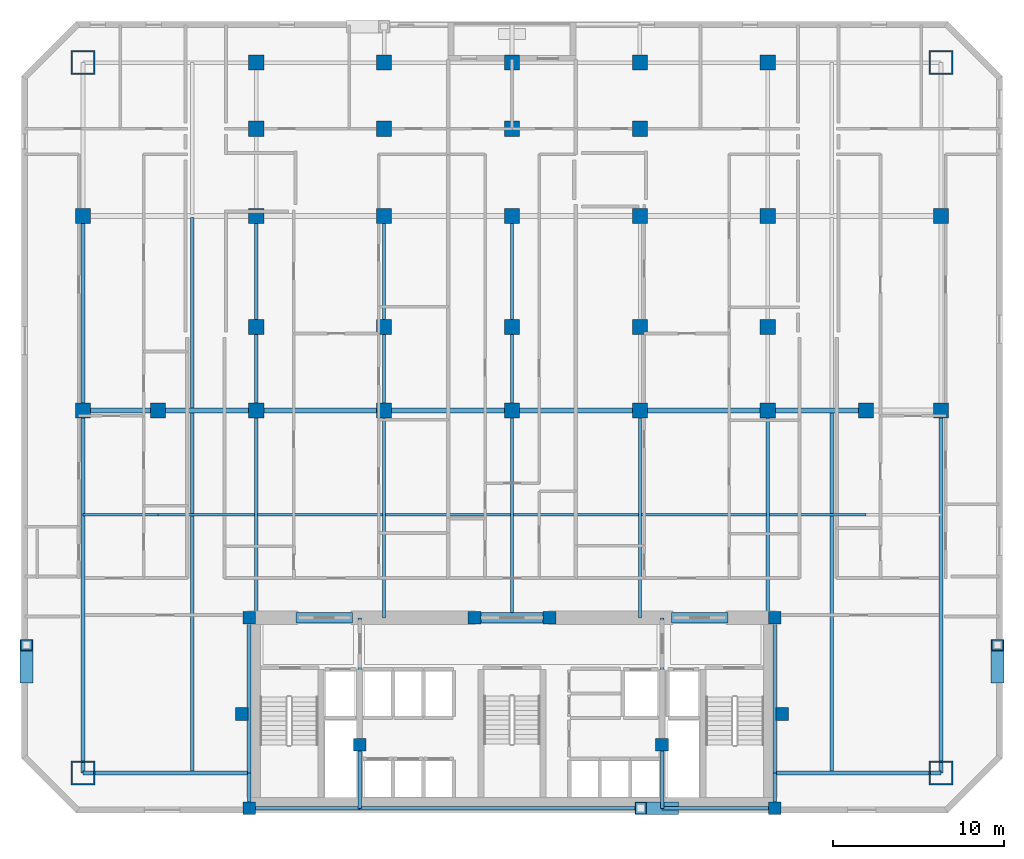
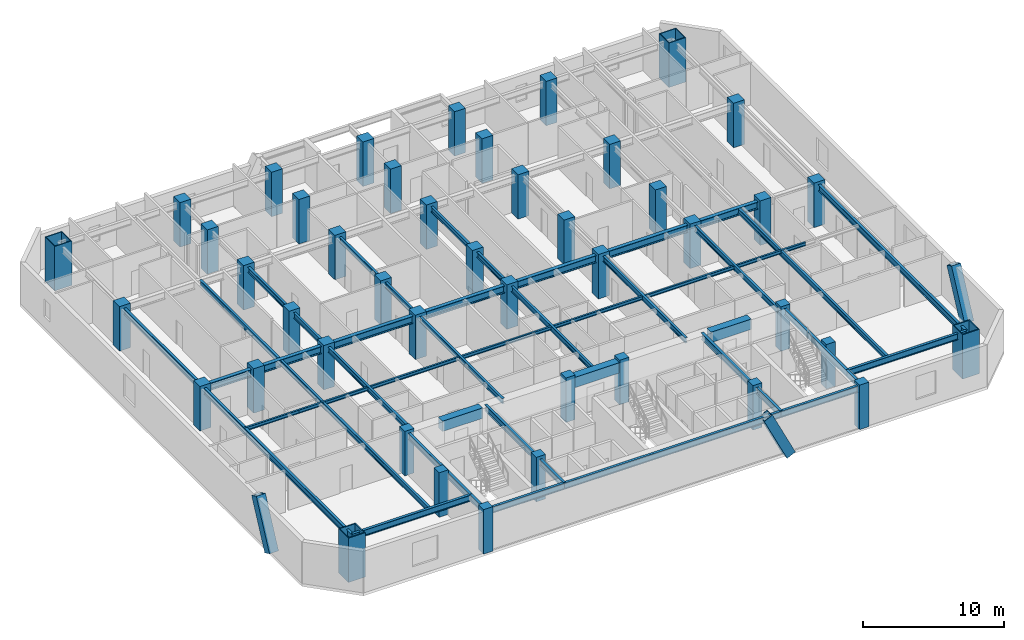
# One storey, part 1 of 10: 44 beams, 44 columns, 3 members.
"""IFC4 building model written with IfcOpenShell, lengths in metres."""

from ifc_helpers import new_model, si_unit, direction, frame, origin, origin_2d, place, context, subcontext, project, spatial, rectangle, hollow_rectangle, i_section, extrude, material, material_profile, profile_set, type_object, element, save


model = new_model("IFC4")

# Units and contexts
model_context = context("Model", 3, precision=1e-05, world=origin(), true_north=direction((0.0, 1.0)))
body_context = subcontext(model_context, "Body", "Model", "MODEL_VIEW")
ifc_project = project(units=[si_unit("LENGTHUNIT", "METRE"), si_unit("AREAUNIT", "SQUARE_METRE"), si_unit("VOLUMEUNIT", "CUBIC_METRE"), si_unit("PLANEANGLEUNIT", "RADIAN"), si_unit("MASSUNIT", "GRAM", prefix="KILO")], contexts=[model_context])

# Site, building, storey
site_placement = place(None, origin())
site = spatial("IfcSite", under=ifc_project, at=site_placement, CompositionType="ELEMENT")
building_placement = place(site_placement, origin())
building = spatial("IfcBuilding", under=site, at=building_placement, Name="Ventersveld Concourse Tower", CompositionType="ELEMENT")
storey_placement = place(building_placement, frame((0.0, 0.0, 41.35009765625)))
storey = spatial("IfcBuildingStorey", under=building, at=storey_placement, Name="L09", CompositionType="ELEMENT", Elevation=41.35009765625)

# Columns
ifc_material_1 = material(Name="Concrete C50/60", Category="concrete")
ifc_material_profile_1 = material_profile(ifc_material_1, rectangle(XDim=0.75, YDim=0.75, at=origin_2d()), Name="RC 750x750")
ifc_profile_set_1 = profile_set([ifc_material_profile_1], Name="Concrete C50/60")
column_type_1 = type_object("IfcColumnType", Name="COL-RC750", PredefinedType="COLUMN", material=ifc_profile_set_1)
for number, where, z_axis, x_axis, name in (
    (1, (13.35009765625, 0.280029296875, 0.0), (0.0, 0.0, 1.0), (1.0, 0.0, 0.0), "L09 Core Spine Column CC-SW"),
    (2, (44.14990234375, 0.280029296875, 0.0), (0.0, 0.0, 1.0), (1.0, 0.0, 0.0), "L09 Core Spine Column CC-SE"),
    (3, (13.35009765625, 11.449951171875, 0.0), (0.0, 0.0, 1.0), (1.0, 0.0, 0.0), "L09 Core Spine Column CC-NW"),
    (4, (44.14990234375, 11.449951171875, 0.0), (0.0, 0.0, 1.0), (1.0, 0.0, 0.0), "L09 Core Spine Column CC-NE"),
    (5, (19.820068359375, 4.0, 0.0), (0.0, 0.0, 1.0), (1.0, 0.0, 0.0), "L09 Core Spine Column CM-1"),
    (6, (37.550048828125, 4.0, 0.0), (0.0, 0.0, 1.0), (1.0, 0.0, 0.0), "L09 Core Spine Column CM-2"),
    (7, (26.550048828125, 11.449951171875, 0.0), (0.0, 0.0, 1.0), (1.0, 0.0, 0.0), "L09 Core Spine Column CM-3"),
    (8, (30.949951171875, 11.449951171875, 0.0), (0.0, 0.0, 1.0), (1.0, 0.0, 0.0), "L09 Core Spine Column CM-4"),
):
    element("IfcColumn", number, at=place(storey_placement, frame(where, z_axis=z_axis, x_axis=x_axis)), inside=storey, type_object=column_type_1, Name=name, PredefinedType="COLUMN", context=body_context, shape_type="SweptSolid", body=[
        extrude(rectangle(XDim=0.75, YDim=0.75, at=origin_2d()), origin(), (0.0, 0.0, 1.0), 3.849853515625),
    ])
ifc_material_2 = material(Name="Concrete C60/75", Category="concrete")
ifc_material_profile_2 = material_profile(ifc_material_2, rectangle(XDim=0.89990234375, YDim=0.89990234375, at=origin_2d()), Name="RC 900x900")
ifc_profile_set_2 = profile_set([ifc_material_profile_2], Name="Concrete C60/75")
column_type_2 = type_object("IfcColumnType", Name="COL-RC900", PredefinedType="COLUMN", material=ifc_profile_set_2)
for number, where, z_axis, x_axis, name in (
    (9, (3.60009765625, 23.60009765625, 0.0), (0.0, 0.0, 1.0), (1.0, 0.0, 0.0), "L09 Interior Gravity Column X=3.60 Y=23.60"),
    (10, (8.0, 23.60009765625, 0.0), (0.0, 0.0, 1.0), (1.0, 0.0, 0.0), "L09 Interior Gravity Column X=8.00 Y=23.60"),
    (11, (13.75, 23.60009765625, 0.0), (0.0, 0.0, 1.0), (1.0, 0.0, 0.0), "L09 Interior Gravity Column X=13.75 Y=23.60"),
    (12, (21.25, 23.60009765625, 0.0), (0.0, 0.0, 1.0), (1.0, 0.0, 0.0), "L09 Interior Gravity Column X=21.25 Y=23.60"),
    (13, (28.75, 23.60009765625, 0.0), (0.0, 0.0, 1.0), (1.0, 0.0, 0.0), "L09 Interior Gravity Column X=28.75 Y=23.60"),
    (14, (36.25, 23.60009765625, 0.0), (0.0, 0.0, 1.0), (1.0, 0.0, 0.0), "L09 Interior Gravity Column X=36.25 Y=23.60"),
    (15, (43.75, 23.60009765625, 0.0), (0.0, 0.0, 1.0), (1.0, 0.0, 0.0), "L09 Interior Gravity Column X=43.75 Y=23.60"),
    (16, (49.5, 23.60009765625, 0.0), (0.0, 0.0, 1.0), (1.0, 0.0, 0.0), "L09 Interior Gravity Column X=49.50 Y=23.60"),
    (17, (53.89990234375, 23.60009765625, 0.0), (0.0, 0.0, 1.0), (1.0, 0.0, 0.0), "L09 Interior Gravity Column X=53.90 Y=23.60"),
    (18, (13.75, 28.5, 0.0), (0.0, 0.0, 1.0), (1.0, 0.0, 0.0), "L09 Upper-North Gravity Column X=13.75 Y=28.50"),
    (19, (21.25, 28.5, 0.0), (0.0, 0.0, 1.0), (1.0, 0.0, 0.0), "L09 Upper-North Gravity Column X=21.25 Y=28.50"),
    (20, (28.75, 28.5, 0.0), (0.0, 0.0, 1.0), (1.0, 0.0, 0.0), "L09 Upper-North Gravity Column X=28.75 Y=28.50"),
    (21, (36.25, 28.5, 0.0), (0.0, 0.0, 1.0), (1.0, 0.0, 0.0), "L09 Upper-North Gravity Column X=36.25 Y=28.50"),
    (22, (43.75, 28.5, 0.0), (0.0, 0.0, 1.0), (1.0, 0.0, 0.0), "L09 Upper-North Gravity Column X=43.75 Y=28.50"),
    (23, (3.60009765625, 35.0, 0.0), (0.0, 0.0, 1.0), (1.0, 0.0, 0.0), "L09 Flank Column X=3.60 Y=35.00"),
    (24, (53.89990234375, 35.0, 0.0), (0.0, 0.0, 1.0), (1.0, 0.0, 0.0), "L09 Flank Column X=53.90 Y=35.00"),
    (25, (13.75, 44.0, 0.0), (0.0, 0.0, 1.0), (1.0, 0.0, 0.0), "L09 North Perimeter Column X=13.75 Y=44.00"),
    (26, (21.25, 44.0, 0.0), (0.0, 0.0, 1.0), (1.0, 0.0, 0.0), "L09 North Perimeter Column X=21.25 Y=44.00"),
    (27, (28.75, 44.0, 0.0), (0.0, 0.0, 1.0), (1.0, 0.0, 0.0), "L09 North Perimeter Column X=28.75 Y=44.00"),
    (28, (36.25, 44.0, 0.0), (0.0, 0.0, 1.0), (1.0, 0.0, 0.0), "L09 North Perimeter Column X=36.25 Y=44.00"),
    (29, (43.75, 44.0, 0.0), (0.0, 0.0, 1.0), (1.0, 0.0, 0.0), "L09 North Perimeter Column X=43.75 Y=44.00"),
    (30, (13.75, 40.1201171875, 0.0), (0.0, 0.0, 1.0), (1.0, 0.0, 0.0), "L09 North Brace Node Column X=13.75 Y=40.12"),
    (31, (21.25, 40.1201171875, 0.0), (0.0, 0.0, 1.0), (1.0, 0.0, 0.0), "L09 North Brace Node Column X=21.25 Y=40.12"),
    (32, (28.75, 40.1201171875, 0.0), (0.0, 0.0, 1.0), (1.0, 0.0, 0.0), "L09 North Brace Node Column X=28.75 Y=40.12"),
    (33, (36.25, 40.1201171875, 0.0), (0.0, 0.0, 1.0), (1.0, 0.0, 0.0), "L09 North Brace Node Column X=36.25 Y=40.12"),
    (34, (13.75, 35.0, 0.0), (0.0, 0.0, 1.0), (1.0, 0.0, 0.0), "L09 Mid-North Column X=13.75 Y=35.00"),
    (35, (21.25, 35.0, 0.0), (0.0, 0.0, 1.0), (1.0, 0.0, 0.0), "L09 Mid-North Column X=21.25 Y=35.00"),
    (36, (28.75, 35.0, 0.0), (0.0, 0.0, 1.0), (1.0, 0.0, 0.0), "L09 Mid-North Column X=28.75 Y=35.00"),
    (37, (36.25, 35.0, 0.0), (0.0, 0.0, 1.0), (1.0, 0.0, 0.0), "L09 Mid-North Column X=36.25 Y=35.00"),
    (38, (43.75, 35.0, 0.0), (0.0, 0.0, 1.0), (1.0, 0.0, 0.0), "L09 Mid-North Column X=43.75 Y=35.00"),
):
    element("IfcColumn", number, at=place(storey_placement, frame(where, z_axis=z_axis, x_axis=x_axis)), inside=storey, type_object=column_type_2, Name=name, PredefinedType="COLUMN", context=body_context, shape_type="SweptSolid", body=[
        extrude(rectangle(XDim=0.89990234375, YDim=0.89990234375, at=origin_2d()), origin(), (0.0, 0.0, 1.0), 3.849853515625),
    ])
ifc_material_3 = material(Name="Structural steel S460ML", Category="steel")
ifc_material_profile_3 = material_profile(ifc_material_3, hollow_rectangle(XDim=1.39990234375, YDim=1.39990234375, WallThickness=0.080078125, at=origin_2d()), Name="BOX 1400x1400x80")
ifc_profile_set_3 = profile_set([ifc_material_profile_3], Name="Structural steel S460ML")
column_type_3 = type_object("IfcColumnType", Name="MC-1400", PredefinedType="USERDEFINED", material=ifc_profile_set_3)
for number, where, z_axis, x_axis, name in (
    (39, (3.60009765625, 2.35009765625, 0.0), (0.0, 0.0, 1.0), (1.0, 0.0, 0.0), "L09 Corner Mega-Column MC-SW"),
    (40, (53.89990234375, 2.35009765625, 0.0), (0.0, 0.0, 1.0), (1.0, 0.0, 0.0), "L09 Corner Mega-Column MC-SE"),
    (41, (53.89990234375, 44.0, 0.0), (0.0, 0.0, 1.0), (1.0, 0.0, 0.0), "L09 Corner Mega-Column MC-NE"),
    (42, (3.60009765625, 44.0, 0.0), (0.0, 0.0, 1.0), (1.0, 0.0, 0.0), "L09 Corner Mega-Column MC-NW"),
):
    element("IfcColumn", number, at=place(storey_placement, frame(where, z_axis=z_axis, x_axis=x_axis)), inside=storey, type_object=column_type_3, Name=name, ObjectType="MEGA_COLUMN", PredefinedType="USERDEFINED", context=body_context, shape_type="SweptSolid", body=[
        extrude(hollow_rectangle(XDim=1.39990234375, YDim=1.39990234375, WallThickness=0.080078125, at=origin_2d()), origin(), (0.0, 0.0, 1.0), 3.849853515625),
    ])
ifc_material_profile_4 = material_profile(ifc_material_1, rectangle(XDim=0.75, YDim=0.75, at=origin_2d()), Name="RC 750x750")
ifc_profile_set_4 = profile_set([ifc_material_profile_4], Name="Concrete C50/60")
column_type_4 = type_object("IfcColumnType", Name="PIL-RC750", PredefinedType="PILASTER", material=ifc_profile_set_4)
for number, where, z_axis, x_axis, name in (
    (43, (12.89990234375, 5.800048828125, 0.0), (0.0, 0.0, 1.0), (1.0, 0.0, 0.0), "L09 Core Engaged Pilaster PIL-W"),
    (44, (44.60009765625, 5.800048828125, 0.0), (0.0, 0.0, 1.0), (1.0, 0.0, 0.0), "L09 Core Engaged Pilaster PIL-E"),
):
    element("IfcColumn", number, at=place(storey_placement, frame(where, z_axis=z_axis, x_axis=x_axis)), inside=storey, type_object=column_type_4, Name=name, PredefinedType="PILASTER", context=body_context, shape_type="SweptSolid", body=[
        extrude(rectangle(XDim=0.75, YDim=0.75, at=origin_2d()), origin(), (0.0, 0.0, 1.0), 3.849853515625),
    ])

# Beams
ifc_material_4 = material(Name="Structural steel S355J2", Category="steel")
ifc_material_profile_5 = material_profile(ifc_material_4, i_section(OverallWidth=0.19140625, OverallDepth=0.4599609375, WebThickness=0.010009765625, FlangeThickness=0.01611328125, FilletRadius=0.01025390625, at=origin_2d()), Name="UB 457x191x82")
ifc_profile_set_5 = profile_set([ifc_material_profile_5], Name="Structural steel S355J2")
beam_type_1 = type_object("IfcBeamType", Name="BM-UB457H", PredefinedType="BEAM", material=ifc_profile_set_5)
beam_1_placement = place(storey_placement, frame((10.0, 2.35009765625, 3.369873046875), z_axis=(0.0, 1.0, 0.0), x_axis=(-1.0, 0.0, 0.0)))
element("IfcBeam", 45, at=beam_1_placement, inside=storey, type_object=beam_type_1, Name="L09 N-S Composite Floor Beam South X=10.00", PredefinedType="BEAM", context=body_context, shape_type="SweptSolid", body=[
    extrude(i_section(OverallWidth=0.19140625, OverallDepth=0.4599609375, WebThickness=0.010009765625, FlangeThickness=0.01611328125, FilletRadius=0.01025390625, at=origin_2d()), origin(), (0.0, 0.0, 1.0), 21.15478515625),
])
beam_2_placement = place(storey_placement, frame((10.0, 23.695068359375, 3.369873046875), z_axis=(0.0, 1.0, 0.0), x_axis=(-1.0, 0.0, 0.0)))
element("IfcBeam", 46, at=beam_2_placement, inside=storey, type_object=beam_type_1, Name="L09 N-S Composite Floor Beam Mid X=10.00", PredefinedType="BEAM", context=body_context, shape_type="SweptSolid", body=[
    extrude(i_section(OverallWidth=0.19140625, OverallDepth=0.4599609375, WebThickness=0.010009765625, FlangeThickness=0.01611328125, FilletRadius=0.01025390625, at=origin_2d()), origin(), (0.0, 0.0, 1.0), 11.2099609375),
])
beam_3_placement = place(storey_placement, frame((13.75, 11.449951171875, 3.369873046875), z_axis=(0.0, 1.0, 0.0), x_axis=(-1.0, 0.0, 0.0)))
element("IfcBeam", 47, at=beam_3_placement, inside=storey, type_object=beam_type_1, Name="L09 N-S Composite Floor Beam South X=13.75", PredefinedType="BEAM", context=body_context, shape_type="SweptSolid", body=[
    extrude(i_section(OverallWidth=0.19140625, OverallDepth=0.4599609375, WebThickness=0.010009765625, FlangeThickness=0.01611328125, FilletRadius=0.01025390625, at=origin_2d()), origin(), (0.0, 0.0, 1.0), 12.150146484375),
])
beam_4_placement = place(storey_placement, frame((13.75, 23.60009765625, 3.369873046875), z_axis=(0.0, 1.0, 0.0), x_axis=(-1.0, 0.0, 0.0)))
element("IfcBeam", 48, at=beam_4_placement, inside=storey, type_object=beam_type_1, Name="L09 N-S Composite Floor Beam Mid X=13.75", PredefinedType="BEAM", context=body_context, shape_type="SweptSolid", body=[
    extrude(i_section(OverallWidth=0.19140625, OverallDepth=0.4599609375, WebThickness=0.010009765625, FlangeThickness=0.01611328125, FilletRadius=0.01025390625, at=origin_2d()), origin(), (0.0, 0.0, 1.0), 11.39990234375),
])
beam_5_placement = place(storey_placement, frame((21.25, 11.449951171875, 3.369873046875), z_axis=(0.0, 1.0, 0.0), x_axis=(-1.0, 0.0, 0.0)))
element("IfcBeam", 49, at=beam_5_placement, inside=storey, type_object=beam_type_1, Name="L09 N-S Composite Floor Beam South X=21.25", PredefinedType="BEAM", context=body_context, shape_type="SweptSolid", body=[
    extrude(i_section(OverallWidth=0.19140625, OverallDepth=0.4599609375, WebThickness=0.010009765625, FlangeThickness=0.01611328125, FilletRadius=0.01025390625, at=origin_2d()), origin(), (0.0, 0.0, 1.0), 12.150146484375),
])
beam_6_placement = place(storey_placement, frame((21.25, 23.60009765625, 3.369873046875), z_axis=(0.0, 1.0, 0.0), x_axis=(-1.0, 0.0, 0.0)))
element("IfcBeam", 50, at=beam_6_placement, inside=storey, type_object=beam_type_1, Name="L09 N-S Composite Floor Beam Mid X=21.25", PredefinedType="BEAM", context=body_context, shape_type="SweptSolid", body=[
    extrude(i_section(OverallWidth=0.19140625, OverallDepth=0.4599609375, WebThickness=0.010009765625, FlangeThickness=0.01611328125, FilletRadius=0.01025390625, at=origin_2d()), origin(), (0.0, 0.0, 1.0), 11.39990234375),
])
beam_7_placement = place(storey_placement, frame((28.75, 11.449951171875, 3.369873046875), z_axis=(0.0, 1.0, 0.0), x_axis=(-1.0, 0.0, 0.0)))
element("IfcBeam", 51, at=beam_7_placement, inside=storey, type_object=beam_type_1, Name="L09 N-S Composite Floor Beam South X=28.75", PredefinedType="BEAM", context=body_context, shape_type="SweptSolid", body=[
    extrude(i_section(OverallWidth=0.19140625, OverallDepth=0.4599609375, WebThickness=0.010009765625, FlangeThickness=0.01611328125, FilletRadius=0.01025390625, at=origin_2d()), origin(), (0.0, 0.0, 1.0), 12.150146484375),
])
beam_8_placement = place(storey_placement, frame((28.75, 23.60009765625, 3.369873046875), z_axis=(0.0, 1.0, 0.0), x_axis=(-1.0, 0.0, 0.0)))
element("IfcBeam", 52, at=beam_8_placement, inside=storey, type_object=beam_type_1, Name="L09 N-S Composite Floor Beam Mid X=28.75", PredefinedType="BEAM", context=body_context, shape_type="SweptSolid", body=[
    extrude(i_section(OverallWidth=0.19140625, OverallDepth=0.4599609375, WebThickness=0.010009765625, FlangeThickness=0.01611328125, FilletRadius=0.01025390625, at=origin_2d()), origin(), (0.0, 0.0, 1.0), 11.39990234375),
])
for number, where, z_axis, x_axis, name in (
    (53, (36.25, 11.449951171875, 3.369873046875), (0.0, 1.0, 0.0), (-1.0, 0.0, 0.0), "L09 N-S Composite Floor Beam South X=36.25"),
    (54, (43.75, 11.449951171875, 3.369873046875), (0.0, 1.0, 0.0), (-1.0, 0.0, 0.0), "L09 N-S Composite Floor Beam South X=43.75"),
):
    element("IfcBeam", number, at=place(storey_placement, frame(where, z_axis=z_axis, x_axis=x_axis)), inside=storey, type_object=beam_type_1, Name=name, PredefinedType="BEAM", context=body_context, shape_type="SweptSolid", body=[
        extrude(i_section(OverallWidth=0.19140625, OverallDepth=0.4599609375, WebThickness=0.010009765625, FlangeThickness=0.01611328125, FilletRadius=0.01025390625, at=origin_2d()), origin(), (0.0, 0.0, 1.0), 12.150146484375),
    ])
beam_9_placement = place(storey_placement, frame((47.5, 2.35009765625, 3.369873046875), z_axis=(0.0, 1.0, 0.0), x_axis=(-1.0, 0.0, 0.0)))
element("IfcBeam", 55, at=beam_9_placement, inside=storey, type_object=beam_type_1, Name="L09 N-S Composite Floor Beam South X=47.50", PredefinedType="BEAM", context=body_context, shape_type="SweptSolid", body=[
    extrude(i_section(OverallWidth=0.19140625, OverallDepth=0.4599609375, WebThickness=0.010009765625, FlangeThickness=0.01611328125, FilletRadius=0.01025390625, at=origin_2d()), origin(), (0.0, 0.0, 1.0), 21.15478515625),
])
ifc_material_profile_6 = material_profile(ifc_material_2, rectangle(XDim=0.60009765625, YDim=0.89990234375, at=origin_2d()), Name="RC 600x900")
ifc_profile_set_6 = profile_set([ifc_material_profile_6], Name="Concrete C60/75")
beam_type_2 = type_object("IfcBeamType", Name="CB-RC600x900L", PredefinedType="LINTEL", material=ifc_profile_set_6)
beam_10_placement = place(storey_placement, frame((16.10009765625, 11.449951171875, 3.14990234375), z_axis=(1.0, 0.0, 0.0), x_axis=(0.0, 1.0, 0.0)))
element("IfcBeam", 56, at=beam_10_placement, inside=storey, type_object=beam_type_2, Name="L09 Core Coupling Lintel Beam 1", PredefinedType="LINTEL", context=body_context, shape_type="SweptSolid", body=[
    extrude(rectangle(XDim=0.60009765625, YDim=0.89990234375, at=origin_2d()), origin(), (0.0, 0.0, 1.0), 3.2998046875),
])
beam_11_placement = place(storey_placement, frame((26.5, 11.449951171875, 3.14990234375), z_axis=(1.0, 0.0, 0.0), x_axis=(0.0, 1.0, 0.0)))
element("IfcBeam", 57, at=beam_11_placement, inside=storey, type_object=beam_type_2, Name="L09 Core Coupling Lintel Beam 2", PredefinedType="LINTEL", context=body_context, shape_type="SweptSolid", body=[
    extrude(rectangle(XDim=0.60009765625, YDim=0.89990234375, at=origin_2d()), origin(), (0.0, 0.0, 1.0), 4.5),
])
beam_12_placement = place(storey_placement, frame((38.10009765625, 11.449951171875, 3.14990234375), z_axis=(1.0, 0.0, 0.0), x_axis=(0.0, 1.0, 0.0)))
element("IfcBeam", 58, at=beam_12_placement, inside=storey, type_object=beam_type_2, Name="L09 Core Coupling Lintel Beam 3", PredefinedType="LINTEL", context=body_context, shape_type="SweptSolid", body=[
    extrude(rectangle(XDim=0.60009765625, YDim=0.89990234375, at=origin_2d()), origin(), (0.0, 0.0, 1.0), 3.2998046875),
])
ifc_material_profile_7 = material_profile(ifc_material_4, i_section(OverallWidth=0.2119140625, OverallDepth=0.54443359375, WebThickness=0.0126953125, FlangeThickness=0.021240234375, FilletRadius=0.0126953125, at=origin_2d()), Name="UB 533x210x122")
ifc_profile_set_7 = profile_set([ifc_material_profile_7], Name="Structural steel S355J2")
beam_type_3 = type_object("IfcBeamType", Name="GRD-UB533H", PredefinedType="T_BEAM", material=ifc_profile_set_7)
beam_13_placement = place(storey_placement, frame((13.35009765625, 0.280029296875, 3.32763671875), z_axis=(0.0, 1.0, 0.0), x_axis=(-1.0, 0.0, 0.0)))
element("IfcBeam", 59, at=beam_13_placement, inside=storey, type_object=beam_type_3, Name="L09 Core West Tie Beam S", PredefinedType="T_BEAM", context=body_context, shape_type="SweptSolid", body=[
    extrude(i_section(OverallWidth=0.2119140625, OverallDepth=0.54443359375, WebThickness=0.0126953125, FlangeThickness=0.021240234375, FilletRadius=0.0126953125, at=origin_2d()), origin(), (0.0, 0.0, 1.0), 2.070068359375),
])
beam_14_placement = place(storey_placement, frame((13.35009765625, 2.35009765625, 3.32763671875), z_axis=(0.0, 1.0, 0.0), x_axis=(-1.0, 0.0, 0.0)))
element("IfcBeam", 60, at=beam_14_placement, inside=storey, type_object=beam_type_3, Name="L09 Core West Tie Beam N", PredefinedType="T_BEAM", context=body_context, shape_type="SweptSolid", body=[
    extrude(i_section(OverallWidth=0.2119140625, OverallDepth=0.54443359375, WebThickness=0.0126953125, FlangeThickness=0.021240234375, FilletRadius=0.0126953125, at=origin_2d()), origin(), (0.0, 0.0, 1.0), 9.099853515625),
])
beam_15_placement = place(storey_placement, frame((44.14990234375, 0.280029296875, 3.32763671875), z_axis=(0.0, 1.0, 0.0), x_axis=(-1.0, 0.0, 0.0)))
element("IfcBeam", 61, at=beam_15_placement, inside=storey, type_object=beam_type_3, Name="L09 Core East Tie Beam S", PredefinedType="T_BEAM", context=body_context, shape_type="SweptSolid", body=[
    extrude(i_section(OverallWidth=0.2119140625, OverallDepth=0.54443359375, WebThickness=0.0126953125, FlangeThickness=0.021240234375, FilletRadius=0.0126953125, at=origin_2d()), origin(), (0.0, 0.0, 1.0), 2.070068359375),
])
beam_16_placement = place(storey_placement, frame((44.14990234375, 2.35009765625, 3.32763671875), z_axis=(0.0, 1.0, 0.0), x_axis=(-1.0, 0.0, 0.0)))
element("IfcBeam", 62, at=beam_16_placement, inside=storey, type_object=beam_type_3, Name="L09 Core East Tie Beam N", PredefinedType="T_BEAM", context=body_context, shape_type="SweptSolid", body=[
    extrude(i_section(OverallWidth=0.2119140625, OverallDepth=0.54443359375, WebThickness=0.0126953125, FlangeThickness=0.021240234375, FilletRadius=0.0126953125, at=origin_2d()), origin(), (0.0, 0.0, 1.0), 9.099853515625),
])
beam_17_placement = place(storey_placement, frame((13.35009765625, 0.280029296875, 3.32763671875), z_axis=(1.0, 0.0, 0.0), x_axis=(0.0, 1.0, 0.0)))
element("IfcBeam", 63, at=beam_17_placement, inside=storey, type_object=beam_type_3, Name="L09 Core South Tie Beam W", PredefinedType="T_BEAM", context=body_context, shape_type="SweptSolid", body=[
    extrude(i_section(OverallWidth=0.2119140625, OverallDepth=0.54443359375, WebThickness=0.0126953125, FlangeThickness=0.021240234375, FilletRadius=0.0126953125, at=origin_2d()), origin(), (0.0, 0.0, 1.0), 6.469970703125),
])
beam_18_placement = place(storey_placement, frame((19.820068359375, 0.280029296875, 3.32763671875), z_axis=(1.0, 0.0, 0.0), x_axis=(0.0, 1.0, 0.0)))
element("IfcBeam", 64, at=beam_18_placement, inside=storey, type_object=beam_type_3, Name="L09 Core South Tie Beam C", PredefinedType="T_BEAM", context=body_context, shape_type="SweptSolid", body=[
    extrude(i_section(OverallWidth=0.2119140625, OverallDepth=0.54443359375, WebThickness=0.0126953125, FlangeThickness=0.021240234375, FilletRadius=0.0126953125, at=origin_2d()), origin(), (0.0, 0.0, 1.0), 17.72998046875),
])
beam_19_placement = place(storey_placement, frame((37.550048828125, 0.280029296875, 3.32763671875), z_axis=(1.0, 0.0, 0.0), x_axis=(0.0, 1.0, 0.0)))
element("IfcBeam", 65, at=beam_19_placement, inside=storey, type_object=beam_type_3, Name="L09 Core South Tie Beam E", PredefinedType="T_BEAM", context=body_context, shape_type="SweptSolid", body=[
    extrude(i_section(OverallWidth=0.2119140625, OverallDepth=0.54443359375, WebThickness=0.0126953125, FlangeThickness=0.021240234375, FilletRadius=0.0126953125, at=origin_2d()), origin(), (0.0, 0.0, 1.0), 6.599853515625),
])
beam_20_placement = place(storey_placement, frame((19.820068359375, 0.280029296875, 3.32763671875), z_axis=(0.0, 1.0, 0.0), x_axis=(-1.0, 0.0, 0.0)))
element("IfcBeam", 66, at=beam_20_placement, inside=storey, type_object=beam_type_3, Name="L09 Core Spine N-S Tie Beam W1", PredefinedType="T_BEAM", context=body_context, shape_type="SweptSolid", body=[
    extrude(i_section(OverallWidth=0.2119140625, OverallDepth=0.54443359375, WebThickness=0.0126953125, FlangeThickness=0.021240234375, FilletRadius=0.0126953125, at=origin_2d()), origin(), (0.0, 0.0, 1.0), 3.719970703125),
])
beam_21_placement = place(storey_placement, frame((19.820068359375, 4.0, 3.32763671875), z_axis=(0.0, 1.0, 0.0), x_axis=(-1.0, 0.0, 0.0)))
element("IfcBeam", 67, at=beam_21_placement, inside=storey, type_object=beam_type_3, Name="L09 Core Spine N-S Tie Beam W2", PredefinedType="T_BEAM", context=body_context, shape_type="SweptSolid", body=[
    extrude(i_section(OverallWidth=0.2119140625, OverallDepth=0.54443359375, WebThickness=0.0126953125, FlangeThickness=0.021240234375, FilletRadius=0.0126953125, at=origin_2d()), origin(), (0.0, 0.0, 1.0), 7.449951171875),
])
beam_22_placement = place(storey_placement, frame((37.550048828125, 0.280029296875, 3.32763671875), z_axis=(0.0, 1.0, 0.0), x_axis=(-1.0, 0.0, 0.0)))
element("IfcBeam", 68, at=beam_22_placement, inside=storey, type_object=beam_type_3, Name="L09 Core Spine N-S Tie Beam E1", PredefinedType="T_BEAM", context=body_context, shape_type="SweptSolid", body=[
    extrude(i_section(OverallWidth=0.2119140625, OverallDepth=0.54443359375, WebThickness=0.0126953125, FlangeThickness=0.021240234375, FilletRadius=0.0126953125, at=origin_2d()), origin(), (0.0, 0.0, 1.0), 3.719970703125),
])
beam_23_placement = place(storey_placement, frame((37.550048828125, 4.0, 3.32763671875), z_axis=(0.0, 1.0, 0.0), x_axis=(-1.0, 0.0, 0.0)))
element("IfcBeam", 69, at=beam_23_placement, inside=storey, type_object=beam_type_3, Name="L09 Core Spine N-S Tie Beam E2", PredefinedType="T_BEAM", context=body_context, shape_type="SweptSolid", body=[
    extrude(i_section(OverallWidth=0.2119140625, OverallDepth=0.54443359375, WebThickness=0.0126953125, FlangeThickness=0.021240234375, FilletRadius=0.0126953125, at=origin_2d()), origin(), (0.0, 0.0, 1.0), 7.449951171875),
])
ifc_material_profile_8 = material_profile(ifc_material_4, i_section(OverallWidth=0.311279296875, OverallDepth=0.6357421875, WebThickness=0.018310546875, FlangeThickness=0.031494140625, FilletRadius=0.0166015625, at=origin_2d()), Name="UB 610x305x238")
ifc_profile_set_8 = profile_set([ifc_material_profile_8], Name="Structural steel S355J2")
beam_type_4 = type_object("IfcBeamType", Name="GRD-UB610H", PredefinedType="USERDEFINED", material=ifc_profile_set_8)
beam_24_placement = place(storey_placement, frame((3.60009765625, 23.60009765625, 3.281982421875), z_axis=(1.0, 0.0, 0.0), x_axis=(0.0, 1.0, 0.0)))
element("IfcBeam", 70, at=beam_24_placement, inside=storey, type_object=beam_type_4, Name="L09 Primary E-W Grid Girder Y=23.60 #1", ObjectType="GIRDER", PredefinedType="USERDEFINED", context=body_context, shape_type="SweptSolid", body=[
    extrude(i_section(OverallWidth=0.311279296875, OverallDepth=0.6357421875, WebThickness=0.018310546875, FlangeThickness=0.031494140625, FilletRadius=0.0166015625, at=origin_2d()), origin(), (0.0, 0.0, 1.0), 4.39990234375),
])
beam_25_placement = place(storey_placement, frame((8.0, 23.60009765625, 3.281982421875), z_axis=(1.0, 0.0, 0.0), x_axis=(0.0, 1.0, 0.0)))
element("IfcBeam", 71, at=beam_25_placement, inside=storey, type_object=beam_type_4, Name="L09 Primary E-W Grid Girder Y=23.60 #2", ObjectType="GIRDER", PredefinedType="USERDEFINED", context=body_context, shape_type="SweptSolid", body=[
    extrude(i_section(OverallWidth=0.311279296875, OverallDepth=0.6357421875, WebThickness=0.018310546875, FlangeThickness=0.031494140625, FilletRadius=0.0166015625, at=origin_2d()), origin(), (0.0, 0.0, 1.0), 5.75),
])
for number, where, z_axis, x_axis, name in (
    (72, (13.75, 23.60009765625, 3.281982421875), (1.0, 0.0, 0.0), (0.0, 1.0, 0.0), "L09 Primary E-W Grid Girder Y=23.60 #3"),
    (73, (21.25, 23.60009765625, 3.281982421875), (1.0, 0.0, 0.0), (0.0, 1.0, 0.0), "L09 Primary E-W Grid Girder Y=23.60 #4"),
    (74, (28.75, 23.60009765625, 3.281982421875), (1.0, 0.0, 0.0), (0.0, 1.0, 0.0), "L09 Primary E-W Grid Girder Y=23.60 #5"),
    (75, (36.25, 23.60009765625, 3.281982421875), (1.0, 0.0, 0.0), (0.0, 1.0, 0.0), "L09 Primary E-W Grid Girder Y=23.60 #6"),
):
    element("IfcBeam", number, at=place(storey_placement, frame(where, z_axis=z_axis, x_axis=x_axis)), inside=storey, type_object=beam_type_4, Name=name, ObjectType="GIRDER", PredefinedType="USERDEFINED", context=body_context, shape_type="SweptSolid", body=[
        extrude(i_section(OverallWidth=0.311279296875, OverallDepth=0.6357421875, WebThickness=0.018310546875, FlangeThickness=0.031494140625, FilletRadius=0.0166015625, at=origin_2d()), origin(), (0.0, 0.0, 1.0), 7.5),
    ])
beam_26_placement = place(storey_placement, frame((43.75, 23.60009765625, 3.281982421875), z_axis=(1.0, 0.0, 0.0), x_axis=(0.0, 1.0, 0.0)))
element("IfcBeam", 76, at=beam_26_placement, inside=storey, type_object=beam_type_4, Name="L09 Primary E-W Grid Girder Y=23.60 #7", ObjectType="GIRDER", PredefinedType="USERDEFINED", context=body_context, shape_type="SweptSolid", body=[
    extrude(i_section(OverallWidth=0.311279296875, OverallDepth=0.6357421875, WebThickness=0.018310546875, FlangeThickness=0.031494140625, FilletRadius=0.0166015625, at=origin_2d()), origin(), (0.0, 0.0, 1.0), 5.75),
])
ifc_material_profile_9 = material_profile(ifc_material_4, i_section(OverallWidth=0.14990234375, OverallDepth=0.300048828125, WebThickness=0.007080078125, FlangeThickness=0.0107421875, FilletRadius=0.014892578125, at=origin_2d()), Name="IPE 300")
ifc_profile_set_9 = profile_set([ifc_material_profile_9], Name="Structural steel S355J2")
beam_type_5 = type_object("IfcBeamType", Name="JST-IPE300", PredefinedType="JOIST", material=ifc_profile_set_9)
beam_27_placement = place(storey_placement, frame((3.60009765625, 17.5, 3.449951171875), z_axis=(1.0, 0.0, 0.0), x_axis=(0.0, 1.0, 0.0)))
element("IfcBeam", 77, at=beam_27_placement, inside=storey, type_object=beam_type_5, Name="L09 Secondary E-W Floor Joist Y=17.50 #1", PredefinedType="JOIST", context=body_context, shape_type="SweptSolid", body=[
    extrude(i_section(OverallWidth=0.14990234375, OverallDepth=0.300048828125, WebThickness=0.007080078125, FlangeThickness=0.0107421875, FilletRadius=0.014892578125, at=origin_2d()), origin(), (0.0, 0.0, 1.0), 4.39990234375),
])
beam_28_placement = place(storey_placement, frame((8.0, 17.5, 3.449951171875), z_axis=(1.0, 0.0, 0.0), x_axis=(0.0, 1.0, 0.0)))
element("IfcBeam", 78, at=beam_28_placement, inside=storey, type_object=beam_type_5, Name="L09 Secondary E-W Floor Joist Y=17.50 #2", PredefinedType="JOIST", context=body_context, shape_type="SweptSolid", body=[
    extrude(i_section(OverallWidth=0.14990234375, OverallDepth=0.300048828125, WebThickness=0.007080078125, FlangeThickness=0.0107421875, FilletRadius=0.014892578125, at=origin_2d()), origin(), (0.0, 0.0, 1.0), 5.657958984375),
])
for number, where, z_axis, x_axis, name in (
    (79, (13.842041015625, 17.5, 3.449951171875), (1.0, 0.0, 0.0), (0.0, 1.0, 0.0), "L09 Secondary E-W Floor Joist Y=17.50 #3"),
    (80, (21.342041015625, 17.5, 3.449951171875), (1.0, 0.0, 0.0), (0.0, 1.0, 0.0), "L09 Secondary E-W Floor Joist Y=17.50 #4"),
    (81, (28.842041015625, 17.5, 3.449951171875), (1.0, 0.0, 0.0), (0.0, 1.0, 0.0), "L09 Secondary E-W Floor Joist Y=17.50 #5"),
    (82, (36.342041015625, 17.5, 3.449951171875), (1.0, 0.0, 0.0), (0.0, 1.0, 0.0), "L09 Secondary E-W Floor Joist Y=17.50 #6"),
):
    element("IfcBeam", number, at=place(storey_placement, frame(where, z_axis=z_axis, x_axis=x_axis)), inside=storey, type_object=beam_type_5, Name=name, PredefinedType="JOIST", context=body_context, shape_type="SweptSolid", body=[
        extrude(i_section(OverallWidth=0.14990234375, OverallDepth=0.300048828125, WebThickness=0.007080078125, FlangeThickness=0.0107421875, FilletRadius=0.014892578125, at=origin_2d()), origin(), (0.0, 0.0, 1.0), 7.31591796875),
    ])
beam_29_placement = place(storey_placement, frame((43.842041015625, 17.5, 3.449951171875), z_axis=(1.0, 0.0, 0.0), x_axis=(0.0, 1.0, 0.0)))
element("IfcBeam", 83, at=beam_29_placement, inside=storey, type_object=beam_type_5, Name="L09 Secondary E-W Floor Joist Y=17.50 #7", PredefinedType="JOIST", context=body_context, shape_type="SweptSolid", body=[
    extrude(i_section(OverallWidth=0.14990234375, OverallDepth=0.300048828125, WebThickness=0.007080078125, FlangeThickness=0.0107421875, FilletRadius=0.014892578125, at=origin_2d()), origin(), (0.0, 0.0, 1.0), 5.657958984375),
])

# Members
ifc_material_5 = material(Name="Structural steel S355ML", Category="steel")
ifc_material_profile_10 = material_profile(ifc_material_5, hollow_rectangle(XDim=0.75, YDim=0.75, WallThickness=0.044921875, at=origin_2d()), Name="BOX 750x750x45")
ifc_profile_set_10 = profile_set([ifc_material_profile_10], Name="Structural steel S355ML")
member_type = type_object("IfcMemberType", Name="MB-750x750", PredefinedType="BRACE", material=ifc_profile_set_10)
for number, where, z_axis, x_axis, name in (
    (84, (38.175048828125, 0.280029296875, -0.25), (-0.437861906815, 0.0, 0.899042240699), (0.0, -1.0, 0.0), "L09 Exterior Mega-Brace S (Module M01)"),
    (85, (0.280029296875, 7.97509765625, -0.25), (0.0, 0.437861906815, 0.899042240699), (-1.0, 0.0, 0.0), "L09 Exterior Mega-Brace W (Module M01)"),
    (86, (57.219970703125, 7.97509765625, -0.25), (0.0, 0.437861906815, 0.899042240699), (-1.0, 0.0, 0.0), "L09 Exterior Mega-Brace E (Module M01)"),
):
    element("IfcMember", number, at=place(storey_placement, frame(where, z_axis=z_axis, x_axis=x_axis)), inside=storey, type_object=member_type, Name=name, PredefinedType="BRACE", context=body_context, shape_type="SweptSolid", body=[
        extrude(hollow_rectangle(XDim=0.75, YDim=0.75, WallThickness=0.044921875, at=origin_2d()), origin(), (0.0, 0.0, 1.0), 4.2822265625),
    ])

# Beams
ifc_material_profile_11 = material_profile(ifc_material_4, i_section(OverallWidth=0.2119140625, OverallDepth=0.54443359375, WebThickness=0.0126953125, FlangeThickness=0.021240234375, FilletRadius=0.0126953125, at=origin_2d()), Name="UB 533x210x122")
ifc_profile_set_11 = profile_set([ifc_material_profile_11], Name="Structural steel S355J2")
beam_type_6 = type_object("IfcBeamType", Name="SPD-UB533", PredefinedType="SPANDREL", material=ifc_profile_set_11)
for number, where, z_axis, x_axis, name in (
    (87, (3.60009765625, 2.35009765625, 3.32763671875), (1.0, 0.0, 0.0), (0.0, 1.0, 0.0), "L09 SW Spandrel Beam"),
    (88, (44.14990234375, 2.35009765625, 3.32763671875), (1.0, 0.0, 0.0), (0.0, 1.0, 0.0), "L09 SE Spandrel Beam"),
):
    element("IfcBeam", number, at=place(storey_placement, frame(where, z_axis=z_axis, x_axis=x_axis)), inside=storey, type_object=beam_type_6, Name=name, PredefinedType="SPANDREL", context=body_context, shape_type="SweptSolid", body=[
        extrude(i_section(OverallWidth=0.2119140625, OverallDepth=0.54443359375, WebThickness=0.0126953125, FlangeThickness=0.021240234375, FilletRadius=0.0126953125, at=origin_2d()), origin(), (0.0, 0.0, 1.0), 9.75),
    ])
beam_30_placement = place(storey_placement, frame((3.60009765625, 2.35009765625, 3.32763671875), z_axis=(0.0, 1.0, 0.0), x_axis=(-1.0, 0.0, 0.0)))
element("IfcBeam", 89, at=beam_30_placement, inside=storey, type_object=beam_type_6, Name="L09 West Spandrel Beam S", PredefinedType="SPANDREL", context=body_context, shape_type="SweptSolid", body=[
    extrude(i_section(OverallWidth=0.2119140625, OverallDepth=0.54443359375, WebThickness=0.0126953125, FlangeThickness=0.021240234375, FilletRadius=0.0126953125, at=origin_2d()), origin(), (0.0, 0.0, 1.0), 21.25),
])
beam_31_placement = place(storey_placement, frame((3.60009765625, 23.60009765625, 3.32763671875), z_axis=(0.0, 1.0, 0.0), x_axis=(-1.0, 0.0, 0.0)))
element("IfcBeam", 90, at=beam_31_placement, inside=storey, type_object=beam_type_6, Name="L09 West Spandrel Beam M", PredefinedType="SPANDREL", context=body_context, shape_type="SweptSolid", body=[
    extrude(i_section(OverallWidth=0.2119140625, OverallDepth=0.54443359375, WebThickness=0.0126953125, FlangeThickness=0.021240234375, FilletRadius=0.0126953125, at=origin_2d()), origin(), (0.0, 0.0, 1.0), 11.39990234375),
])
beam_32_placement = place(storey_placement, frame((53.89990234375, 2.35009765625, 3.32763671875), z_axis=(0.0, 1.0, 0.0), x_axis=(-1.0, 0.0, 0.0)))
element("IfcBeam", 91, at=beam_32_placement, inside=storey, type_object=beam_type_6, Name="L09 East Spandrel Beam S", PredefinedType="SPANDREL", context=body_context, shape_type="SweptSolid", body=[
    extrude(i_section(OverallWidth=0.2119140625, OverallDepth=0.54443359375, WebThickness=0.0126953125, FlangeThickness=0.021240234375, FilletRadius=0.0126953125, at=origin_2d()), origin(), (0.0, 0.0, 1.0), 21.25),
])

save(model, "model.ifc")
